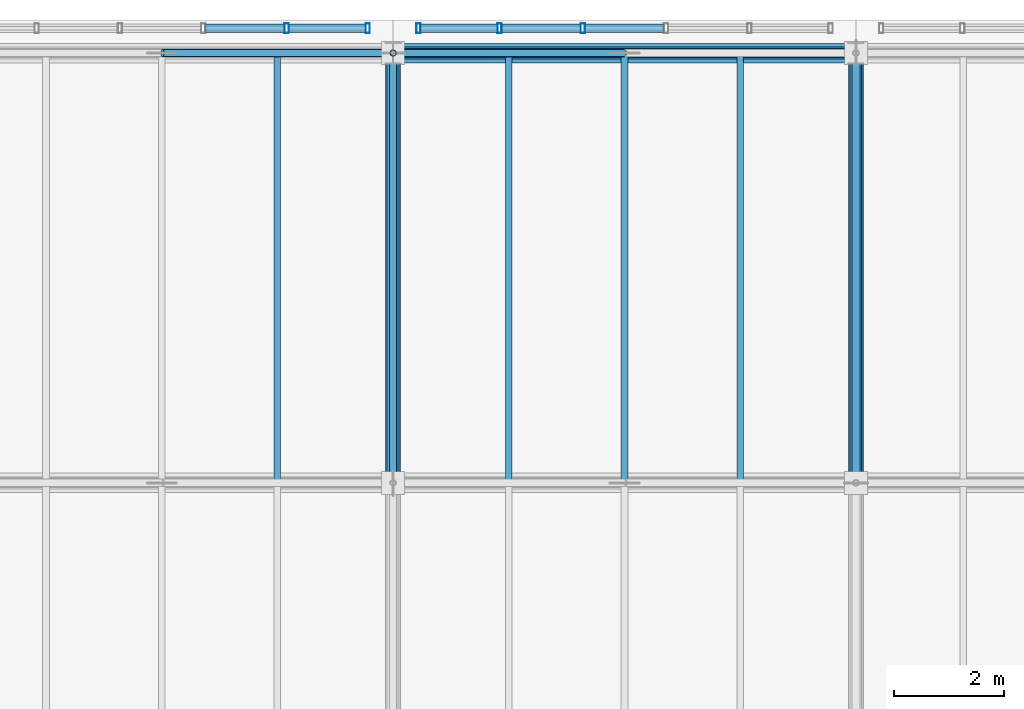
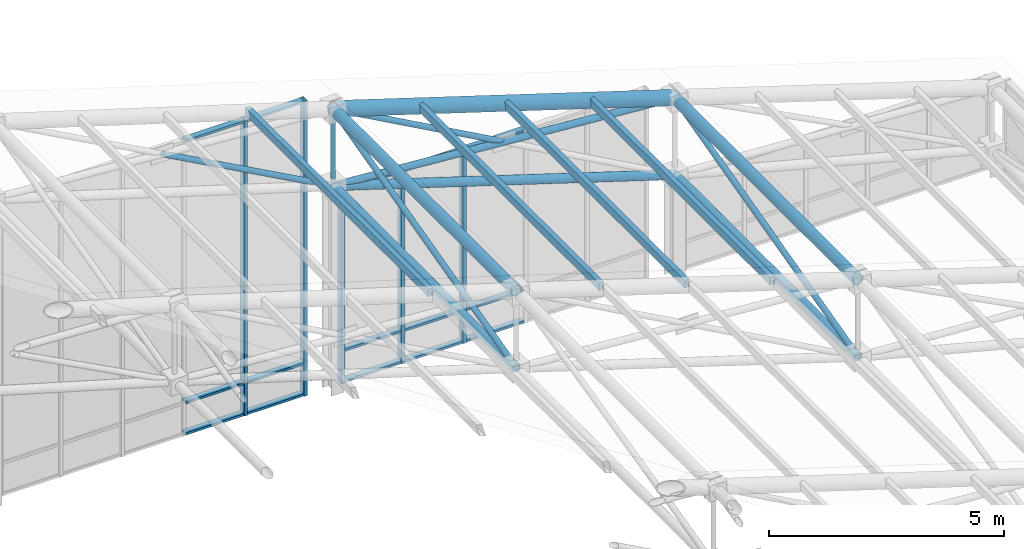
# One storey, part 101 of 144: 36 members, 2 elements without a shape of their own.
"""IFC4 building model written with IfcOpenShell, lengths in metres."""

from ifc_helpers import new_model, si_unit, direction, frame, origin, origin_2d, place, context, subcontext, project, spatial, hollow_rectangle, hollow_circle, extrude, material, layer, layer_set, material_profile, profile_set, type_object, element, aggregate, save


model = new_model("IFC4")

# Units and contexts
model_context = context("Model", 3, precision=1e-05, world=origin(), true_north=direction((0.0, 1.0)))
body_context = subcontext(model_context, "Body", "Model", "MODEL_VIEW")
ifc_project = project(units=[si_unit("LENGTHUNIT", "METRE"), si_unit("AREAUNIT", "SQUARE_METRE"), si_unit("VOLUMEUNIT", "CUBIC_METRE"), si_unit("PLANEANGLEUNIT", "RADIAN"), si_unit("MASSUNIT", "GRAM", prefix="KILO")], contexts=[model_context])

# Site, building, storey
site_placement = place(None, origin())
site = spatial("IfcSite", under=ifc_project, at=site_placement, CompositionType="ELEMENT")
building_placement = place(site_placement, origin())
building = spatial("IfcBuilding", under=site, at=building_placement, Name="Zayran Congress Hotel", CompositionType="ELEMENT")
storey_placement = place(building_placement, frame((0.0, 0.0, 19.199951171875)))
storey = spatial("IfcBuildingStorey", under=building, at=storey_placement, Name="L04", CompositionType="ELEMENT", Elevation=19.199951171875)

# Members
ifc_material_1 = material(Name="Steel S355", Category="steel")
ifc_material_profile_1 = material_profile(ifc_material_1, hollow_circle(Radius=0.177734375, WallThickness=0.01611328125, at=origin_2d()), Name="CHS 355.6x16")
ifc_profile_set_1 = profile_set([ifc_material_profile_1], Name="Steel S355")
member_type_1 = type_object("IfcMemberType", Name="TP-SF-TC1", PredefinedType="CHORD", material=ifc_profile_set_1)
member_1_placement = place(storey_placement, frame((75.60009765625, 117.39990234375, 7.302001953125), z_axis=(0.953670596398, 0.0, -0.300852777228), x_axis=(0.0, 1.0, 0.0)))
element("IfcMember", 1, at=member_1_placement, inside=storey, type_object=member_type_1, Name="Space Frame Top Chord X 485", PredefinedType="CHORD", context=body_context, shape_type="SweptSolid", body=[
    extrude(hollow_circle(Radius=0.177734375, WallThickness=0.01611328125, at=origin_2d()), origin(), (0.0, 0.0, 1.0), 8.807861328125),
])
ifc_material_profile_2 = material_profile(ifc_material_1, hollow_circle(Radius=0.136474609375, WallThickness=0.012451171875, at=origin_2d()), Name="CHS 273x12.5")
ifc_profile_set_2 = profile_set([ifc_material_profile_2], Name="Steel S355")
member_type_2 = type_object("IfcMemberType", Name="TP-SF-TC2", PredefinedType="CHORD", material=ifc_profile_set_2)
for number, where, z_axis, x_axis, name in (
    (2, (75.60009765625, 109.60009765625, 7.302001953125), (0.0, 1.0, 0.0), (-1.0, 0.0, 0.0), "Space Frame Top Chord Y 481"),
    (3, (84.0, 109.60009765625, 4.652099609375), (0.0, 1.0, 0.0), (-1.0, 0.0, 0.0), "Space Frame Top Chord Y 534"),
):
    element("IfcMember", number, at=place(storey_placement, frame(where, z_axis=z_axis, x_axis=x_axis)), inside=storey, type_object=member_type_2, Name=name, PredefinedType="CHORD", context=body_context, shape_type="SweptSolid", body=[
        extrude(hollow_circle(Radius=0.136474609375, WallThickness=0.012451171875, at=origin_2d()), origin(), (0.0, 0.0, 1.0), 7.7998046875),
    ])
ifc_material_profile_3 = material_profile(ifc_material_1, hollow_circle(Radius=0.109619140625, WallThickness=0.010009765625, at=origin_2d()), Name="CHS 219.1x10")
ifc_profile_set_3 = profile_set([ifc_material_profile_3], Name="Steel S355")
member_type_3 = type_object("IfcMemberType", Name="TP-SF-BC1", PredefinedType="CHORD", material=ifc_profile_set_3)
member_2_placement = place(storey_placement, frame((75.60009765625, 109.60009765625, 5.300048828125), z_axis=(0.0, 1.0, 0.0), x_axis=(-1.0, 0.0, 0.0)))
element("IfcMember", 4, at=member_2_placement, inside=storey, type_object=member_type_3, Name="Space Frame Bottom Chord Y 482", PredefinedType="CHORD", context=body_context, shape_type="SweptSolid", body=[
    extrude(hollow_circle(Radius=0.109619140625, WallThickness=0.010009765625, at=origin_2d()), origin(), (0.0, 0.0, 1.0), 7.7998046875),
])
member_3_placement = place(storey_placement, frame((75.60009765625, 117.39990234375, 5.300048828125), z_axis=(0.953670596398, 0.0, -0.300852777228), x_axis=(0.0, 1.0, 0.0)))
element("IfcMember", 5, at=member_3_placement, inside=storey, type_object=member_type_3, Name="Space Frame Bottom Chord X 486", PredefinedType="CHORD", context=body_context, shape_type="SweptSolid", body=[
    extrude(hollow_circle(Radius=0.109619140625, WallThickness=0.010009765625, at=origin_2d()), origin(), (0.0, 0.0, 1.0), 8.807861328125),
])
member_4_placement = place(storey_placement, frame((84.0, 109.60009765625, 2.650146484375), z_axis=(0.0, 1.0, 0.0), x_axis=(-1.0, 0.0, 0.0)))
element("IfcMember", 6, at=member_4_placement, inside=storey, type_object=member_type_3, Name="Space Frame Bottom Chord Y 535", PredefinedType="CHORD", context=body_context, shape_type="SweptSolid", body=[
    extrude(hollow_circle(Radius=0.109619140625, WallThickness=0.010009765625, at=origin_2d()), origin(), (0.0, 0.0, 1.0), 7.7998046875),
])
ifc_material_profile_4 = material_profile(ifc_material_1, hollow_circle(Radius=0.084228515625, WallThickness=0.008056640625, at=origin_2d()), Name="CHS 168.3x8")
ifc_profile_set_4 = profile_set([ifc_material_profile_4], Name="Steel S355")
member_type_4 = type_object("IfcMemberType", Name="TP-SF-DG1", PredefinedType="BRACE", material=ifc_profile_set_4)
member_5_placement = place(storey_placement, frame((75.60009765625, 117.39990234375, 5.300048828125), z_axis=(0.997038098414, 0.0, -0.076909234238), x_axis=(0.0, 1.0, 0.0)))
element("IfcMember", 7, at=member_5_placement, inside=storey, type_object=member_type_4, Name="Space Frame Web Diagonal X 487", PredefinedType="BRACE", context=body_context, shape_type="SweptSolid", body=[
    extrude(hollow_circle(Radius=0.084228515625, WallThickness=0.008056640625, at=origin_2d()), origin(), (0.0, 0.0, 1.0), 8.4248046875),
])
ifc_material_profile_5 = material_profile(ifc_material_1, hollow_circle(Radius=0.06982421875, WallThickness=0.00634765625, at=origin_2d()), Name="CHS 139.7x6.3")
ifc_profile_set_5 = profile_set([ifc_material_profile_5], Name="Steel S355")
member_type_5 = type_object("IfcMemberType", Name="TP-SF-DG2", PredefinedType="BRACE", material=ifc_profile_set_5)
member_6_placement = place(storey_placement, frame((71.4130859375, 117.39990234375, 7.59375), z_axis=(0.877024445647, 0.0, -0.480445753169), x_axis=(0.0, 1.0, 0.0)))
element("IfcMember", 8, at=member_6_placement, inside=storey, type_object=member_type_5, Name="Space Frame Counter Diagonal X Lower 68", PredefinedType="BRACE", context=body_context, shape_type="SweptSolid", body=[
    extrude(hollow_circle(Radius=0.06982421875, WallThickness=0.00634765625, at=origin_2d()), origin(), (0.0, 0.0, 1.0), 4.774169921875),
])
member_7_placement = place(storey_placement, frame((75.60009765625, 109.60009765625, 5.300048828125), z_axis=(0.0, 0.968603987179, 0.248608760951), x_axis=(-1.0, 0.0, 0.0)))
element("IfcMember", 9, at=member_7_placement, inside=storey, type_object=member_type_5, Name="Space Frame Web Diagonal Y 483", PredefinedType="BRACE", context=body_context, shape_type="SweptSolid", body=[
    extrude(hollow_circle(Radius=0.06982421875, WallThickness=0.00634765625, at=origin_2d()), origin(), (0.0, 0.0, 1.0), 8.052734375),
])
member_8_placement = place(storey_placement, frame((75.60009765625, 117.39990234375, 7.302001953125), z_axis=(0.874810980482, 0.0, -0.484464393355), x_axis=(0.0, 1.0, 0.0)))
element("IfcMember", 10, at=member_8_placement, inside=storey, type_object=member_type_5, Name="Space Frame Counter Diagonal X Upper 488", PredefinedType="BRACE", context=body_context, shape_type="SweptSolid", body=[
    extrude(hollow_circle(Radius=0.06982421875, WallThickness=0.00634765625, at=origin_2d()), origin(), (0.0, 0.0, 1.0), 4.785888671875),
])
member_9_placement = place(storey_placement, frame((84.0, 109.60009765625, 2.650146484375), z_axis=(0.0, 0.968603987179, 0.248608760951), x_axis=(-1.0, 0.0, 0.0)))
element("IfcMember", 11, at=member_9_placement, inside=storey, type_object=member_type_5, Name="Space Frame Web Diagonal Y 536", PredefinedType="BRACE", context=body_context, shape_type="SweptSolid", body=[
    extrude(hollow_circle(Radius=0.06982421875, WallThickness=0.00634765625, at=origin_2d()), origin(), (0.0, 0.0, 1.0), 8.052734375),
])
ifc_material_profile_6 = material_profile(ifc_material_1, hollow_circle(Radius=0.05712890625, WallThickness=0.00634765625, at=origin_2d()), Name="CHS 114.3x6.3")
ifc_profile_set_6 = profile_set([ifc_material_profile_6], Name="Steel S355")
member_type_6 = type_object("IfcMemberType", Name="TP-SF-DG3", PredefinedType="BRACE", material=ifc_profile_set_6)
member_10_placement = place(storey_placement, frame((75.60009765625, 117.39990234375, 5.300048828125), z_axis=(0.0, 0.0, 1.0), x_axis=(0.0, 1.0, 0.0)))
element("IfcMember", 12, at=member_10_placement, inside=storey, type_object=member_type_6, Name="Space Frame Web Strut 489", PredefinedType="BRACE", context=body_context, shape_type="SweptSolid", body=[
    extrude(hollow_circle(Radius=0.05712890625, WallThickness=0.00634765625, at=origin_2d()), origin(), (0.0, 0.0, 1.0), 2.001953125),
])
ifc_material_profile_7 = material_profile(ifc_material_1, hollow_rectangle(XDim=0.1201171875, YDim=0.199951171875, WallThickness=0.008056640625, at=origin_2d()), Name="RHS 200x120x8")
ifc_profile_set_7 = profile_set([ifc_material_profile_7], Name="Steel S355")
member_type_7 = type_object("IfcMemberType", Name="TP-PR-01", PredefinedType="PURLIN", material=ifc_profile_set_7)
for number, where, z_axis, x_axis, name in (
    (13, (73.5, 109.60009765625, 7.994140625), (0.0, 1.0, 0.0), (-1.0, 0.0, 0.0), "MEM-PR-V1-0144"),
    (14, (77.699951171875, 109.60009765625, 6.681640625), (0.0, 1.0, 0.0), (-1.0, 0.0, 0.0), "MEM-PR-V1-0150"),
    (15, (79.800048828125, 109.60009765625, 6.01904296875), (0.0, 1.0, 0.0), (-1.0, 0.0, 0.0), "MEM-PR-V1-0156"),
    (16, (81.89990234375, 109.60009765625, 5.3564453125), (0.0, 1.0, 0.0), (-1.0, 0.0, 0.0), "MEM-PR-V1-0162"),
):
    element("IfcMember", number, at=place(storey_placement, frame(where, z_axis=z_axis, x_axis=x_axis)), inside=storey, type_object=member_type_7, Name=name, PredefinedType="PURLIN", context=body_context, shape_type="SweptSolid", body=[
        extrude(hollow_rectangle(XDim=0.1201171875, YDim=0.199951171875, WallThickness=0.008056640625, at=origin_2d()), origin(), (0.0, 0.0, 1.0), 7.7998046875),
    ])

# Curtain wall, members
ifc_material_2 = material(Name="Anodised aluminium and low-E insulated glass", Category="aluminium")
ifc_layer_1 = layer(ifc_material_2, 0.179931640625)
ifc_layer_set_1 = layer_set([ifc_layer_1], Name="Anodised aluminium and low-E insulated glass")
curtain_wall_type_1 = type_object("IfcCurtainWallType", Name="CW-V1CL-L04-CW-22-7560-7670", PredefinedType="USERDEFINED", material=ifc_layer_set_1)
curtain_wall_1_placement = place(storey_placement, origin())
curtain_wall_1 = element("IfcCurtainWall", 17, at=curtain_wall_1_placement, inside=storey, type_object=curtain_wall_type_1, Name="CW-V1CLN-7", ObjectType="CURTAIN WALL", PredefinedType="USERDEFINED")
ifc_material_3 = material(Name="Anodised aluminium framing", Category="aluminium")
ifc_material_profile_8 = material_profile(ifc_material_3, hollow_rectangle(XDim=0.080078125, YDim=0.179931640625, WallThickness=0.0048828125, at=origin_2d()), Name="RHS 180x80x5")
ifc_profile_set_8 = profile_set([ifc_material_profile_8], Name="Anodised aluminium framing")
member_type_8 = type_object("IfcMemberType", Name="TP-CWM-01", PredefinedType="MULLION", material=ifc_profile_set_8)
member_11_placement = place(storey_placement, frame((75.139892578125, 117.85009765625, -0.219970703125), z_axis=(0.0, 0.0, 1.0), x_axis=(1.0, 0.0, 0.0)))
member_11 = element("IfcMember", 18, at=member_11_placement, type_object=member_type_8, Name="CW-V1CLN-7-M00", PredefinedType="MULLION", context=body_context, shape_type="SweptSolid", body=[
    extrude(hollow_rectangle(XDim=0.080078125, YDim=0.179931640625, WallThickness=0.0048828125, at=origin_2d()), origin(), (0.0, 0.0, 1.0), 7.669921875),
])
member_12_placement = place(storey_placement, frame((73.66796875, 117.85009765625, -0.219970703125), z_axis=(0.0, 0.0, 1.0), x_axis=(1.0, 0.0, 0.0)))
member_12 = element("IfcMember", 19, at=member_12_placement, type_object=member_type_8, Name="CW-V1CLN-7-M01", PredefinedType="MULLION", context=body_context, shape_type="SweptSolid", body=[
    extrude(hollow_rectangle(XDim=0.080078125, YDim=0.179931640625, WallThickness=0.0048828125, at=origin_2d()), origin(), (0.0, 0.0, 1.0), 7.669921875),
])

ifc_layer_2 = layer(ifc_material_2, 0.179931640625)
ifc_layer_set_2 = layer_set([ifc_layer_2], Name="Anodised aluminium and low-E insulated glass")
curtain_wall_type_2 = type_object("IfcCurtainWallType", Name="CW-V1CL-L04-CW-23-7560-5020", PredefinedType="USERDEFINED", material=ifc_layer_set_2)
curtain_wall_2_placement = place(storey_placement, origin())
curtain_wall_2 = element("IfcCurtainWall", 20, at=curtain_wall_2_placement, inside=storey, type_object=curtain_wall_type_2, Name="CW-V1CLN-8", ObjectType="CURTAIN WALL", PredefinedType="USERDEFINED")
member_13_placement = place(storey_placement, frame((79.0439453125, 117.85009765625, -0.219970703125), z_axis=(0.0, 0.0, 1.0), x_axis=(1.0, 0.0, 0.0)))
member_13 = element("IfcMember", 21, at=member_13_placement, type_object=member_type_8, Name="CW-V1CLN-8-M03", PredefinedType="MULLION", context=body_context, shape_type="SweptSolid", body=[
    extrude(hollow_rectangle(XDim=0.080078125, YDim=0.179931640625, WallThickness=0.0048828125, at=origin_2d()), origin(), (0.0, 0.0, 1.0), 5.02001953125),
])
member_14_placement = place(storey_placement, frame((77.531982421875, 117.85009765625, -0.219970703125), z_axis=(0.0, 0.0, 1.0), x_axis=(1.0, 0.0, 0.0)))
member_14 = element("IfcMember", 22, at=member_14_placement, type_object=member_type_8, Name="CW-V1CLN-8-M04", PredefinedType="MULLION", context=body_context, shape_type="SweptSolid", body=[
    extrude(hollow_rectangle(XDim=0.080078125, YDim=0.179931640625, WallThickness=0.0048828125, at=origin_2d()), origin(), (0.0, 0.0, 1.0), 5.02001953125),
])
member_15_placement = place(storey_placement, frame((76.06005859375, 117.85009765625, -0.219970703125), z_axis=(0.0, 0.0, 1.0), x_axis=(1.0, 0.0, 0.0)))
member_15 = element("IfcMember", 23, at=member_15_placement, type_object=member_type_8, Name="CW-V1CLN-8-M05", PredefinedType="MULLION", context=body_context, shape_type="SweptSolid", body=[
    extrude(hollow_rectangle(XDim=0.080078125, YDim=0.179931640625, WallThickness=0.0048828125, at=origin_2d()), origin(), (0.0, 0.0, 1.0), 5.02001953125),
])

# Member
ifc_material_profile_9 = material_profile(ifc_material_3, hollow_rectangle(XDim=0.06005859375, YDim=0.14990234375, WallThickness=0.00390625, at=origin_2d()), Name="RHS 150x60x4")
ifc_profile_set_9 = profile_set([ifc_material_profile_9], Name="Anodised aluminium framing")
member_type_9 = type_object("IfcMemberType", Name="TP-CWT-01", PredefinedType="USERDEFINED", material=ifc_profile_set_9)
member_16_placement = place(storey_placement, frame((75.10009765625, 117.85009765625, -0.18994140625), z_axis=(-1.0, 0.0, 0.0), x_axis=(0.0, 0.0, 1.0)))
member_16 = element("IfcMember", 24, at=member_16_placement, type_object=member_type_9, Name="CW-V1CLN-7-T00-0", ObjectType="TRANSOM", PredefinedType="USERDEFINED", context=body_context, shape_type="SweptSolid", body=[
    extrude(hollow_rectangle(XDim=0.06005859375, YDim=0.14990234375, WallThickness=0.00390625, at=origin_2d()), origin(), (0.0, 0.0, 1.0), 1.39208984375),
])

member_17_placement = place(storey_placement, frame((75.10009765625, 117.85009765625, 0.6201171875), z_axis=(-1.0, 0.0, 0.0), x_axis=(0.0, 0.0, 1.0)))
member_17 = element("IfcMember", 25, at=member_17_placement, type_object=member_type_9, Name="CW-V1CLN-7-T00-1", ObjectType="TRANSOM", PredefinedType="USERDEFINED", context=body_context, shape_type="SweptSolid", body=[
    extrude(hollow_rectangle(XDim=0.06005859375, YDim=0.14990234375, WallThickness=0.00390625, at=origin_2d()), origin(), (0.0, 0.0, 1.0), 1.39208984375),
])

member_18_placement = place(storey_placement, frame((75.10009765625, 117.85009765625, 7.420166015625), z_axis=(-1.0, 0.0, 0.0), x_axis=(0.0, 0.0, 1.0)))
member_18 = element("IfcMember", 26, at=member_18_placement, type_object=member_type_9, Name="CW-V1CLN-7-T00-2", ObjectType="TRANSOM", PredefinedType="USERDEFINED", context=body_context, shape_type="SweptSolid", body=[
    extrude(hollow_rectangle(XDim=0.06005859375, YDim=0.14990234375, WallThickness=0.00390625, at=origin_2d()), origin(), (0.0, 0.0, 1.0), 1.39208984375),
])

member_19_placement = place(storey_placement, frame((73.6279296875, 117.85009765625, -0.18994140625), z_axis=(-1.0, 0.0, 0.0), x_axis=(0.0, 0.0, 1.0)))
member_19 = element("IfcMember", 27, at=member_19_placement, type_object=member_type_9, Name="CW-V1CLN-7-T01-0", ObjectType="TRANSOM", PredefinedType="USERDEFINED", context=body_context, shape_type="SweptSolid", body=[
    extrude(hollow_rectangle(XDim=0.06005859375, YDim=0.14990234375, WallThickness=0.00390625, at=origin_2d()), origin(), (0.0, 0.0, 1.0), 1.431884765625),
])

member_20_placement = place(storey_placement, frame((73.6279296875, 117.85009765625, 0.6201171875), z_axis=(-1.0, 0.0, 0.0), x_axis=(0.0, 0.0, 1.0)))
member_20 = element("IfcMember", 28, at=member_20_placement, type_object=member_type_9, Name="CW-V1CLN-7-T01-1", ObjectType="TRANSOM", PredefinedType="USERDEFINED", context=body_context, shape_type="SweptSolid", body=[
    extrude(hollow_rectangle(XDim=0.06005859375, YDim=0.14990234375, WallThickness=0.00390625, at=origin_2d()), origin(), (0.0, 0.0, 1.0), 1.431884765625),
])

member_21_placement = place(storey_placement, frame((73.6279296875, 117.85009765625, 7.420166015625), z_axis=(-1.0, 0.0, 0.0), x_axis=(0.0, 0.0, 1.0)))
member_21 = element("IfcMember", 29, at=member_21_placement, type_object=member_type_9, Name="CW-V1CLN-7-T01-2", ObjectType="TRANSOM", PredefinedType="USERDEFINED", context=body_context, shape_type="SweptSolid", body=[
    extrude(hollow_rectangle(XDim=0.06005859375, YDim=0.14990234375, WallThickness=0.00390625, at=origin_2d()), origin(), (0.0, 0.0, 1.0), 1.431884765625),
])

aggregate(curtain_wall_1, [member_11, member_12, member_16, member_17, member_18, member_19, member_20, member_21])

member_22_placement = place(storey_placement, frame((80.51611328125, 117.85009765625, -0.18994140625), z_axis=(-1.0, 0.0, 0.0), x_axis=(0.0, 0.0, 1.0)))
member_22 = element("IfcMember", 30, at=member_22_placement, type_object=member_type_9, Name="CW-V1CLN-8-T02-0", ObjectType="TRANSOM", PredefinedType="USERDEFINED", context=body_context, shape_type="SweptSolid", body=[
    extrude(hollow_rectangle(XDim=0.06005859375, YDim=0.14990234375, WallThickness=0.00390625, at=origin_2d()), origin(), (0.0, 0.0, 1.0), 1.43212890625),
])

member_23_placement = place(storey_placement, frame((80.51611328125, 117.85009765625, 0.6201171875), z_axis=(-1.0, 0.0, 0.0), x_axis=(0.0, 0.0, 1.0)))
member_23 = element("IfcMember", 31, at=member_23_placement, type_object=member_type_9, Name="CW-V1CLN-8-T02-1", ObjectType="TRANSOM", PredefinedType="USERDEFINED", context=body_context, shape_type="SweptSolid", body=[
    extrude(hollow_rectangle(XDim=0.06005859375, YDim=0.14990234375, WallThickness=0.00390625, at=origin_2d()), origin(), (0.0, 0.0, 1.0), 1.43212890625),
])

member_24_placement = place(storey_placement, frame((80.51611328125, 117.85009765625, 4.77001953125), z_axis=(-1.0, 0.0, 0.0), x_axis=(0.0, 0.0, 1.0)))
member_24 = element("IfcMember", 32, at=member_24_placement, type_object=member_type_9, Name="CW-V1CLN-8-T02-2", ObjectType="TRANSOM", PredefinedType="USERDEFINED", context=body_context, shape_type="SweptSolid", body=[
    extrude(hollow_rectangle(XDim=0.06005859375, YDim=0.14990234375, WallThickness=0.00390625, at=origin_2d()), origin(), (0.0, 0.0, 1.0), 1.43212890625),
])

member_25_placement = place(storey_placement, frame((79.00390625, 117.85009765625, -0.18994140625), z_axis=(-1.0, 0.0, 0.0), x_axis=(0.0, 0.0, 1.0)))
member_25 = element("IfcMember", 33, at=member_25_placement, type_object=member_type_9, Name="CW-V1CLN-8-T03-0", ObjectType="TRANSOM", PredefinedType="USERDEFINED", context=body_context, shape_type="SweptSolid", body=[
    extrude(hollow_rectangle(XDim=0.06005859375, YDim=0.14990234375, WallThickness=0.00390625, at=origin_2d()), origin(), (0.0, 0.0, 1.0), 1.431884765625),
])

member_26_placement = place(storey_placement, frame((79.00390625, 117.85009765625, 0.6201171875), z_axis=(-1.0, 0.0, 0.0), x_axis=(0.0, 0.0, 1.0)))
member_26 = element("IfcMember", 34, at=member_26_placement, type_object=member_type_9, Name="CW-V1CLN-8-T03-1", ObjectType="TRANSOM", PredefinedType="USERDEFINED", context=body_context, shape_type="SweptSolid", body=[
    extrude(hollow_rectangle(XDim=0.06005859375, YDim=0.14990234375, WallThickness=0.00390625, at=origin_2d()), origin(), (0.0, 0.0, 1.0), 1.431884765625),
])

member_27_placement = place(storey_placement, frame((79.00390625, 117.85009765625, 4.77001953125), z_axis=(-1.0, 0.0, 0.0), x_axis=(0.0, 0.0, 1.0)))
member_27 = element("IfcMember", 35, at=member_27_placement, type_object=member_type_9, Name="CW-V1CLN-8-T03-2", ObjectType="TRANSOM", PredefinedType="USERDEFINED", context=body_context, shape_type="SweptSolid", body=[
    extrude(hollow_rectangle(XDim=0.06005859375, YDim=0.14990234375, WallThickness=0.00390625, at=origin_2d()), origin(), (0.0, 0.0, 1.0), 1.431884765625),
])

member_28_placement = place(storey_placement, frame((77.491943359375, 117.85009765625, -0.18994140625), z_axis=(-1.0, 0.0, 0.0), x_axis=(0.0, 0.0, 1.0)))
member_28 = element("IfcMember", 36, at=member_28_placement, type_object=member_type_9, Name="CW-V1CLN-8-T04-0", ObjectType="TRANSOM", PredefinedType="USERDEFINED", context=body_context, shape_type="SweptSolid", body=[
    extrude(hollow_rectangle(XDim=0.06005859375, YDim=0.14990234375, WallThickness=0.00390625, at=origin_2d()), origin(), (0.0, 0.0, 1.0), 1.391845703125),
])

member_29_placement = place(storey_placement, frame((77.491943359375, 117.85009765625, 0.6201171875), z_axis=(-1.0, 0.0, 0.0), x_axis=(0.0, 0.0, 1.0)))
member_29 = element("IfcMember", 37, at=member_29_placement, type_object=member_type_9, Name="CW-V1CLN-8-T04-1", ObjectType="TRANSOM", PredefinedType="USERDEFINED", context=body_context, shape_type="SweptSolid", body=[
    extrude(hollow_rectangle(XDim=0.06005859375, YDim=0.14990234375, WallThickness=0.00390625, at=origin_2d()), origin(), (0.0, 0.0, 1.0), 1.391845703125),
])

member_30_placement = place(storey_placement, frame((77.491943359375, 117.85009765625, 4.77001953125), z_axis=(-1.0, 0.0, 0.0), x_axis=(0.0, 0.0, 1.0)))
member_30 = element("IfcMember", 38, at=member_30_placement, type_object=member_type_9, Name="CW-V1CLN-8-T04-2", ObjectType="TRANSOM", PredefinedType="USERDEFINED", context=body_context, shape_type="SweptSolid", body=[
    extrude(hollow_rectangle(XDim=0.06005859375, YDim=0.14990234375, WallThickness=0.00390625, at=origin_2d()), origin(), (0.0, 0.0, 1.0), 1.391845703125),
])

aggregate(curtain_wall_2, [member_13, member_14, member_15, member_22, member_23, member_24, member_25, member_26, member_27, member_28, member_29, member_30])

save(model, "model.ifc")
